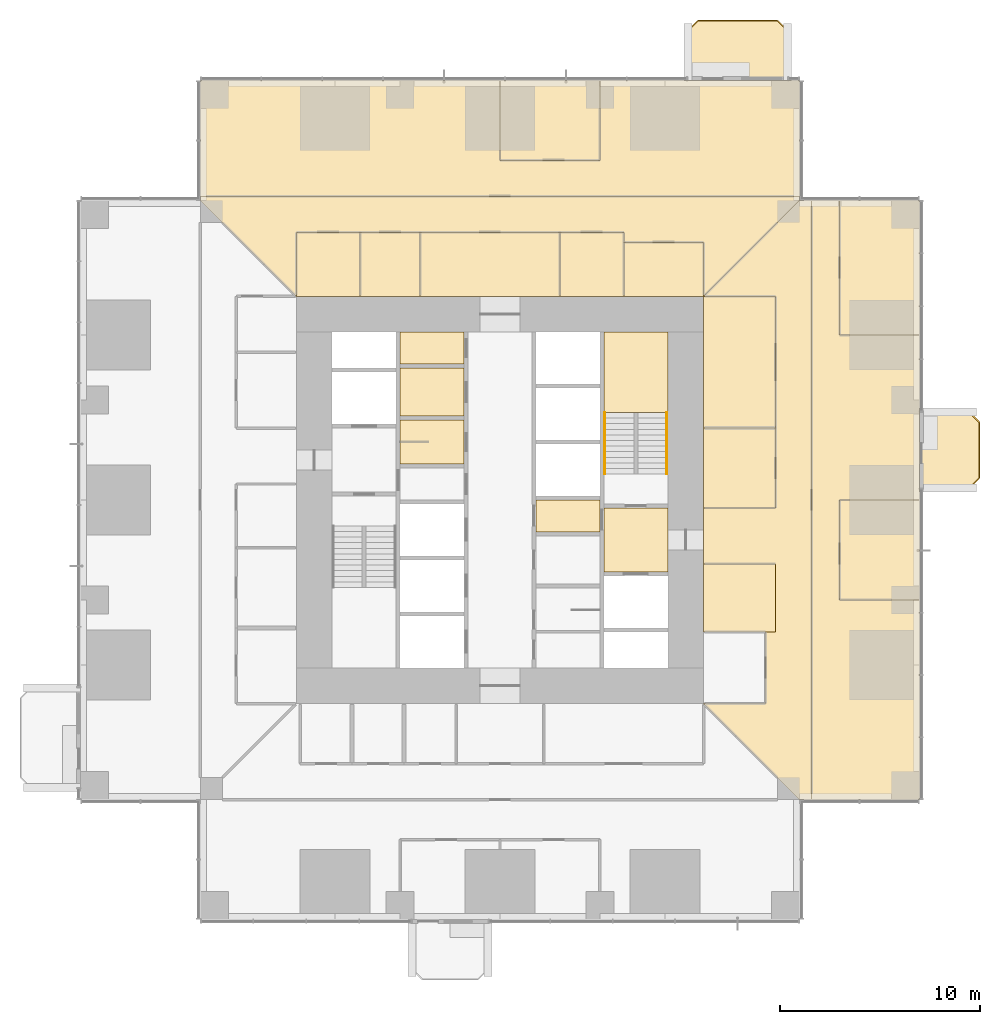
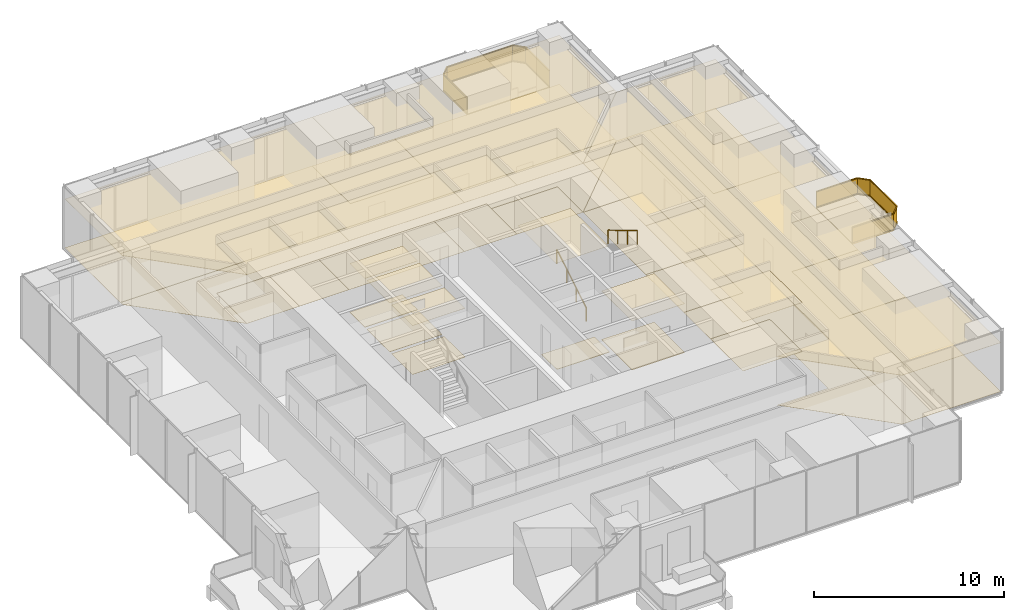
# One storey, part 16 of 17: 42 coverings, 4 railings.
"""IFC4 building model written with IfcOpenShell, lengths in metres."""

from ifc_helpers import new_model, si_unit, direction, frame, origin, origin_2d, place, context, subcontext, project, spatial, polyline, rectangle, circle, outline, extrude, material, layer, layer_set, type_object, element, save


model = new_model("IFC4")

# Units and contexts
model_context = context("Model", 3, precision=1e-05, world=origin(), true_north=direction((0.0, 1.0)))
body_context = subcontext(model_context, "Body", "Model", "MODEL_VIEW")
ifc_project = project(units=[si_unit("LENGTHUNIT", "METRE"), si_unit("AREAUNIT", "SQUARE_METRE"), si_unit("VOLUMEUNIT", "CUBIC_METRE"), si_unit("PLANEANGLEUNIT", "RADIAN"), si_unit("MASSUNIT", "GRAM", prefix="KILO")], contexts=[model_context])

# Site, building, storey
site_placement = place(None, origin())
site = spatial("IfcSite", under=ifc_project, at=site_placement, CompositionType="ELEMENT")
building_placement = place(site_placement, origin())
building = spatial("IfcBuilding", under=site, at=building_placement, Name="Svetlomir Tower", CompositionType="ELEMENT")
storey_placement = place(building_placement, frame((0.0, 0.0, 62.5)))
storey = spatial("IfcBuildingStorey", under=building, at=storey_placement, Name="L14", CompositionType="ELEMENT", Elevation=62.5)

# Railings
ifc_material_1 = material(Name="Bronze anodised aluminium and laminated glass", Category="aluminium")
railing_type_1 = type_object("IfcRailingType", Name="BALCONY GUARD GR1 1100", PredefinedType="GUARDRAIL", material=ifc_material_1)
railing_1_placement = place(storey_placement, frame((42.0, 21.60009765625, 0.0)))
element("IfcRailing", 1, at=railing_1_placement, inside=storey, type_object=railing_type_1, Name="Balcony guard E L14", PredefinedType="GUARDRAIL", context=body_context, shape_type="SweptSolid", body=[
    extrude(rectangle(XDim=0.06005859375, YDim=0.10009765625, at=origin_2d()), frame((0.0, 0.0, 0.050048828125), z_axis=(1.0, 0.0, 0.0), x_axis=(0.0, 1.0, 0.0)), (0.0, 0.0, 1.0), 2.5),
    extrude(rectangle(XDim=0.021484375, YDim=0.960205078125, at=origin_2d()), frame((0.0, 0.0, 0.580078125), z_axis=(1.0, 0.0, 0.0), x_axis=(0.0, 1.0, 0.0)), (0.0, 0.0, 1.0), 2.5),
    extrude(rectangle(XDim=0.06005859375, YDim=0.0400390625, at=origin_2d()), frame((0.0, 0.0, 1.080078125), z_axis=(1.0, 0.0, 0.0), x_axis=(0.0, 1.0, 0.0)), (0.0, 0.0, 1.0), 2.5),
    extrude(rectangle(XDim=0.06005859375, YDim=0.10009765625, at=origin_2d()), frame((2.5, 0.0, 0.050048828125), z_axis=(0.707106781187, 0.707106781187, 0.0), x_axis=(-0.707106781187, 0.707106781187, 0.0)), (0.0, 0.0, 1.0), 0.70703125),
    extrude(rectangle(XDim=0.021484375, YDim=0.960205078125, at=origin_2d()), frame((2.5, 0.0, 0.580078125), z_axis=(0.707106781187, 0.707106781187, 0.0), x_axis=(-0.707106781187, 0.707106781187, 0.0)), (0.0, 0.0, 1.0), 0.70703125),
    extrude(rectangle(XDim=0.06005859375, YDim=0.0400390625, at=origin_2d()), frame((2.5, 0.0, 1.080078125), z_axis=(0.707106781187, 0.707106781187, 0.0), x_axis=(-0.707106781187, 0.707106781187, 0.0)), (0.0, 0.0, 1.0), 0.70703125),
    extrude(rectangle(XDim=0.06005859375, YDim=0.10009765625, at=origin_2d()), frame((3.0, 0.5, 0.050048828125), z_axis=(0.0, 1.0, 0.0), x_axis=(-1.0, 0.0, 0.0)), (0.0, 0.0, 1.0), 2.7998046875),
    extrude(rectangle(XDim=0.021484375, YDim=0.960205078125, at=origin_2d()), frame((3.0, 0.5, 0.580078125), z_axis=(0.0, 1.0, 0.0), x_axis=(-1.0, 0.0, 0.0)), (0.0, 0.0, 1.0), 2.7998046875),
    extrude(rectangle(XDim=0.06005859375, YDim=0.0400390625, at=origin_2d()), frame((3.0, 0.5, 1.080078125), z_axis=(0.0, 1.0, 0.0), x_axis=(-1.0, 0.0, 0.0)), (0.0, 0.0, 1.0), 2.7998046875),
    extrude(rectangle(XDim=0.06005859375, YDim=0.10009765625, at=origin_2d()), frame((3.0, 3.2998046875, 0.050048828125), z_axis=(-0.707106781187, 0.707106781187, 0.0), x_axis=(-0.707106781187, -0.707106781187, 0.0)), (0.0, 0.0, 1.0), 0.70703125),
    extrude(rectangle(XDim=0.021484375, YDim=0.960205078125, at=origin_2d()), frame((3.0, 3.2998046875, 0.580078125), z_axis=(-0.707106781187, 0.707106781187, 0.0), x_axis=(-0.707106781187, -0.707106781187, 0.0)), (0.0, 0.0, 1.0), 0.70703125),
    extrude(rectangle(XDim=0.06005859375, YDim=0.0400390625, at=origin_2d()), frame((3.0, 3.2998046875, 1.080078125), z_axis=(-0.707106781187, 0.707106781187, 0.0), x_axis=(-0.707106781187, -0.707106781187, 0.0)), (0.0, 0.0, 1.0), 0.70703125),
    extrude(rectangle(XDim=0.06005859375, YDim=0.10009765625, at=origin_2d()), frame((2.5, 3.7998046875, 0.050048828125), z_axis=(-1.0, 0.0, 0.0), x_axis=(0.0, -1.0, 0.0)), (0.0, 0.0, 1.0), 2.5),
    extrude(rectangle(XDim=0.021484375, YDim=0.960205078125, at=origin_2d()), frame((2.5, 3.7998046875, 0.580078125), z_axis=(-1.0, 0.0, 0.0), x_axis=(0.0, -1.0, 0.0)), (0.0, 0.0, 1.0), 2.5),
    extrude(rectangle(XDim=0.06005859375, YDim=0.0400390625, at=origin_2d()), frame((2.5, 3.7998046875, 1.080078125), z_axis=(-1.0, 0.0, 0.0), x_axis=(0.0, -1.0, 0.0)), (0.0, 0.0, 1.0), 2.5),
])
railing_2_placement = place(storey_placement, frame((35.39990234375, 42.0, 0.0)))
element("IfcRailing", 2, at=railing_2_placement, inside=storey, type_object=railing_type_1, Name="Balcony guard N L14", PredefinedType="GUARDRAIL", context=body_context, shape_type="SweptSolid", body=[
    extrude(rectangle(XDim=0.06005859375, YDim=0.10009765625, at=origin_2d()), frame((0.0, 0.0, 0.050048828125), z_axis=(0.0, 1.0, 0.0), x_axis=(-1.0, 0.0, 0.0)), (0.0, 0.0, 1.0), 2.5),
    extrude(rectangle(XDim=0.021484375, YDim=0.960205078125, at=origin_2d()), frame((0.0, 0.0, 0.580078125), z_axis=(0.0, 1.0, 0.0), x_axis=(-1.0, 0.0, 0.0)), (0.0, 0.0, 1.0), 2.5),
    extrude(rectangle(XDim=0.06005859375, YDim=0.0400390625, at=origin_2d()), frame((0.0, 0.0, 1.080078125), z_axis=(0.0, 1.0, 0.0), x_axis=(-1.0, 0.0, 0.0)), (0.0, 0.0, 1.0), 2.5),
    extrude(rectangle(XDim=0.06005859375, YDim=0.10009765625, at=origin_2d()), frame((0.0, 2.5, 0.050048828125), z_axis=(-0.707106781187, 0.707106781187, 0.0), x_axis=(-0.707106781187, -0.707106781187, 0.0)), (0.0, 0.0, 1.0), 0.70703125),
    extrude(rectangle(XDim=0.021484375, YDim=0.960205078125, at=origin_2d()), frame((0.0, 2.5, 0.580078125), z_axis=(-0.707106781187, 0.707106781187, 0.0), x_axis=(-0.707106781187, -0.707106781187, 0.0)), (0.0, 0.0, 1.0), 0.70703125),
    extrude(rectangle(XDim=0.06005859375, YDim=0.0400390625, at=origin_2d()), frame((0.0, 2.5, 1.080078125), z_axis=(-0.707106781187, 0.707106781187, 0.0), x_axis=(-0.707106781187, -0.707106781187, 0.0)), (0.0, 0.0, 1.0), 0.70703125),
    extrude(rectangle(XDim=0.06005859375, YDim=0.10009765625, at=origin_2d()), frame((-0.5, 3.0, 0.050048828125), z_axis=(-1.0, 0.0, 0.0), x_axis=(0.0, -1.0, 0.0)), (0.0, 0.0, 1.0), 4.0),
    extrude(rectangle(XDim=0.021484375, YDim=0.960205078125, at=origin_2d()), frame((-0.5, 3.0, 0.580078125), z_axis=(-1.0, 0.0, 0.0), x_axis=(0.0, -1.0, 0.0)), (0.0, 0.0, 1.0), 4.0),
    extrude(rectangle(XDim=0.06005859375, YDim=0.0400390625, at=origin_2d()), frame((-0.5, 3.0, 1.080078125), z_axis=(-1.0, 0.0, 0.0), x_axis=(0.0, -1.0, 0.0)), (0.0, 0.0, 1.0), 4.0),
    extrude(rectangle(XDim=0.06005859375, YDim=0.10009765625, at=origin_2d()), frame((-4.5, 3.0, 0.050048828125), z_axis=(-0.707106781187, -0.707106781187, 0.0), x_axis=(0.707106781187, -0.707106781187, 0.0)), (0.0, 0.0, 1.0), 0.70703125),
    extrude(rectangle(XDim=0.021484375, YDim=0.960205078125, at=origin_2d()), frame((-4.5, 3.0, 0.580078125), z_axis=(-0.707106781187, -0.707106781187, 0.0), x_axis=(0.707106781187, -0.707106781187, 0.0)), (0.0, 0.0, 1.0), 0.70703125),
    extrude(rectangle(XDim=0.06005859375, YDim=0.0400390625, at=origin_2d()), frame((-4.5, 3.0, 1.080078125), z_axis=(-0.707106781187, -0.707106781187, 0.0), x_axis=(0.707106781187, -0.707106781187, 0.0)), (0.0, 0.0, 1.0), 0.70703125),
    extrude(rectangle(XDim=0.06005859375, YDim=0.10009765625, at=origin_2d()), frame((-5.0, 2.5, 0.050048828125), z_axis=(0.0, -1.0, 0.0), x_axis=(1.0, 0.0, 0.0)), (0.0, 0.0, 1.0), 2.5),
    extrude(rectangle(XDim=0.021484375, YDim=0.960205078125, at=origin_2d()), frame((-5.0, 2.5, 0.580078125), z_axis=(0.0, -1.0, 0.0), x_axis=(1.0, 0.0, 0.0)), (0.0, 0.0, 1.0), 2.5),
    extrude(rectangle(XDim=0.06005859375, YDim=0.0400390625, at=origin_2d()), frame((-5.0, 2.5, 1.080078125), z_axis=(0.0, -1.0, 0.0), x_axis=(1.0, 0.0, 0.0)), (0.0, 0.0, 1.0), 2.5),
])

# Coverings
ifc_material_2 = material(Name="Granite paving slabs on pedestals", Category="masonry")
ifc_layer_1 = layer(ifc_material_2, 0.0400390625)
ifc_layer_set_1 = layer_set([ifc_layer_1], Name="Granite paving slabs on pedestals")
covering_type_1 = type_object("IfcCoveringType", Name="BALCONY PAVING 40", PredefinedType="USERDEFINED", material=ifc_layer_set_1)
covering_1_placement = place(storey_placement, origin())
element("IfcCovering", 3, at=covering_1_placement, inside=storey, type_object=covering_type_1, Name="Balcony paving E L14", ObjectType="BALCONY PAVING", PredefinedType="USERDEFINED", context=body_context, shape_type="SweptSolid", body=[
    extrude(outline(polyline([(42.0, 21.60009765625), (44.5, 21.60009765625), (45.0, 22.10009765625), (45.0, 24.89990234375), (44.5, 25.39990234375), (42.0, 25.39990234375), (42.0, 21.60009765625)])), origin(), (0.0, 0.0, 1.0), 0.0400390625),
])
covering_2_placement = place(storey_placement, origin())
element("IfcCovering", 4, at=covering_2_placement, inside=storey, type_object=covering_type_1, Name="Balcony paving N L14", ObjectType="BALCONY PAVING", PredefinedType="USERDEFINED", context=body_context, shape_type="SweptSolid", body=[
    extrude(outline(polyline([(30.39990234375, 42.0), (35.39990234375, 42.0), (35.39990234375, 44.5), (34.89990234375, 45.0), (30.89990234375, 45.0), (30.39990234375, 44.5), (30.39990234375, 42.0)])), origin(), (0.0, 0.0, 1.0), 0.0400390625),
])
ifc_material_3 = material(Name="Carpet tile", Category="textile")
ifc_layer_2 = layer(ifc_material_3, 0.010009765625)
ifc_layer_set_2 = layer_set([ifc_layer_2], Name="Carpet tile")
covering_type_2 = type_object("IfcCoveringType", Name="CARPET TILE FLOOR 10", PredefinedType="FLOORING", material=ifc_layer_set_2)
covering_3_placement = place(storey_placement, origin())
element("IfcCovering", 5, at=covering_3_placement, inside=storey, type_object=covering_type_2, Name="Floor finish L14-21", PredefinedType="FLOORING", context=body_context, shape_type="SweptSolid", body=[
    extrude(outline(polyline([(31.199951171875, 20.60009765625), (34.800048828125, 20.60009765625), (34.800048828125, 24.60009765625), (31.199951171875, 24.60009765625), (31.199951171875, 20.60009765625)])), origin(), (0.0, 0.0, 1.0), 0.010009765625),
])
covering_4_placement = place(storey_placement, origin())
element("IfcCovering", 6, at=covering_4_placement, inside=storey, type_object=covering_type_2, Name="Floor finish L14-22", PredefinedType="FLOORING", context=body_context, shape_type="SweptSolid", body=[
    extrude(outline(polyline([(31.199951171875, 24.60009765625), (34.800048828125, 24.60009765625), (34.800048828125, 31.199951171875), (31.199951171875, 31.199951171875), (31.199951171875, 24.60009765625)])), origin(), (0.0, 0.0, 1.0), 0.010009765625),
])
covering_5_placement = place(storey_placement, origin())
element("IfcCovering", 7, at=covering_5_placement, inside=storey, type_object=covering_type_2, Name="Floor finish L14-23", PredefinedType="FLOORING", context=body_context, shape_type="SweptSolid", body=[
    extrude(outline(polyline([(38.0, 16.0), (42.0, 16.0), (42.0, 21.0), (38.0, 21.0), (38.0, 16.0)])), origin(), (0.0, 0.0, 1.0), 0.010009765625),
])
covering_6_placement = place(storey_placement, origin())
element("IfcCovering", 8, at=covering_6_placement, inside=storey, type_object=covering_type_2, Name="Floor finish L14-24", PredefinedType="FLOORING", context=body_context, shape_type="SweptSolid", body=[
    extrude(outline(polyline([(38.0, 29.25), (42.0, 29.25), (42.0, 36.0), (38.0, 36.0), (38.0, 29.25)])), origin(), (0.0, 0.0, 1.0), 0.010009765625),
])
covering_7_placement = place(storey_placement, origin())
element("IfcCovering", 9, at=covering_7_placement, inside=storey, type_object=covering_type_2, Name="Floor finish L14-25", PredefinedType="FLOORING", context=body_context, shape_type="SweptSolid", body=[
    extrude(outline(polyline([(10.800048828125, 31.199951171875), (14.0, 31.199951171875), (14.0, 34.39990234375), (10.800048828125, 34.39990234375), (10.800048828125, 31.199951171875)])), origin(), (0.0, 0.0, 1.0), 0.010009765625),
])
covering_8_placement = place(storey_placement, origin())
element("IfcCovering", 10, at=covering_8_placement, inside=storey, type_object=covering_type_2, Name="Floor finish L14-26", PredefinedType="FLOORING", context=body_context, shape_type="SweptSolid", body=[
    extrude(outline(polyline([(14.0, 31.199951171875), (17.0, 31.199951171875), (17.0, 34.39990234375), (14.0, 34.39990234375), (14.0, 31.199951171875)])), origin(), (0.0, 0.0, 1.0), 0.010009765625),
])
covering_9_placement = place(storey_placement, origin())
element("IfcCovering", 11, at=covering_9_placement, inside=storey, type_object=covering_type_2, Name="Floor finish L14-27", PredefinedType="FLOORING", context=body_context, shape_type="SweptSolid", body=[
    extrude(outline(polyline([(24.0, 31.199951171875), (27.199951171875, 31.199951171875), (27.199951171875, 34.39990234375), (24.0, 34.39990234375), (24.0, 31.199951171875)])), origin(), (0.0, 0.0, 1.0), 0.010009765625),
])
covering_10_placement = place(storey_placement, origin())
element("IfcCovering", 12, at=covering_10_placement, inside=storey, type_object=covering_type_2, Name="Floor finish L14-28", PredefinedType="FLOORING", context=body_context, shape_type="SweptSolid", body=[
    extrude(outline(polyline([(27.199951171875, 31.199951171875), (31.199951171875, 31.199951171875), (31.199951171875, 33.89990234375), (27.199951171875, 33.89990234375), (27.199951171875, 31.199951171875)])), origin(), (0.0, 0.0, 1.0), 0.010009765625),
])
covering_11_placement = place(storey_placement, origin())
element("IfcCovering", 13, at=covering_11_placement, inside=storey, type_object=covering_type_2, Name="Floor finish L14-29", PredefinedType="FLOORING", context=body_context, shape_type="SweptSolid", body=[
    extrude(outline(polyline([(21.0, 38.0), (26.0, 38.0), (26.0, 42.0), (21.0, 42.0), (21.0, 38.0)])), origin(), (0.0, 0.0, 1.0), 0.010009765625),
])
covering_12_placement = place(storey_placement, origin())
element("IfcCovering", 14, at=covering_12_placement, inside=storey, type_object=covering_type_2, Name="Floor finish L14-34", PredefinedType="FLOORING", context=body_context, shape_type="SweptSolid", body=[
    extrude(outline(polyline([(31.199951171875, 20.60009765625), (34.800048828125, 20.60009765625), (34.800048828125, 31.199951171875), (31.199951171875, 31.199951171875), (36.0, 36.0), (36.60009765625, 36.0), (36.60009765625, 6.0), (36.0, 6.0), (31.199951171875, 10.800048828125), (34.300048828125, 10.800048828125), (34.300048828125, 14.39990234375), (34.800048828125, 14.39990234375), (34.800048828125, 17.800048828125), (31.199951171875, 17.800048828125), (31.199951171875, 20.60009765625)])), origin(), (0.0, 0.0, 1.0), 0.010009765625),
])
covering_13_placement = place(storey_placement, origin())
element("IfcCovering", 15, at=covering_13_placement, inside=storey, type_object=covering_type_2, Name="Floor finish L14-35", PredefinedType="FLOORING", context=body_context, shape_type="SweptSolid", body=[
    extrude(outline(polyline([(6.0, 36.199951171875), (36.0, 36.199951171875), (36.0, 36.0), (31.199951171875, 31.199951171875), (31.199951171875, 33.89990234375), (27.199951171875, 33.89990234375), (27.199951171875, 34.39990234375), (10.800048828125, 34.39990234375), (10.800048828125, 31.199951171875), (6.0, 36.0), (6.0, 36.199951171875)])), origin(), (0.0, 0.0, 1.0), 0.010009765625),
])
covering_14_placement = place(storey_placement, origin())
element("IfcCovering", 16, at=covering_14_placement, inside=storey, type_object=covering_type_2, Name="Floor finish L14-39", PredefinedType="FLOORING", context=body_context, shape_type="SweptSolid", body=[
    extrude(outline(polyline([(38.0, 29.25), (42.0, 29.25), (42.0, 21.0), (38.0, 21.0), (38.0, 16.0), (42.0, 16.0), (42.0, 6.0), (36.60009765625, 6.0), (36.60009765625, 36.0), (38.0, 36.0), (38.0, 29.25)])), origin(), (0.0, 0.0, 1.0), 0.010009765625),
])
covering_15_placement = place(storey_placement, origin())
element("IfcCovering", 17, at=covering_15_placement, inside=storey, type_object=covering_type_2, Name="Floor finish L14-40", PredefinedType="FLOORING", context=body_context, shape_type="SweptSolid", body=[
    extrude(outline(polyline([(31.199951171875, 14.39990234375), (31.199951171875, 17.800048828125), (34.800048828125, 17.800048828125), (34.800048828125, 14.39990234375), (31.199951171875, 14.39990234375)])), origin(), (0.0, 0.0, 1.0), 0.010009765625),
])
covering_16_placement = place(storey_placement, origin())
element("IfcCovering", 18, at=covering_16_placement, inside=storey, type_object=covering_type_2, Name="Floor finish L14-41", PredefinedType="FLOORING", context=body_context, shape_type="SweptSolid", body=[
    extrude(outline(polyline([(21.0, 42.0), (21.0, 38.0), (26.0, 38.0), (26.0, 42.0), (36.0, 42.0), (36.0, 36.199951171875), (6.0, 36.199951171875), (6.0, 42.0), (21.0, 42.0)])), origin(), (0.0, 0.0, 1.0), 0.010009765625),
])
covering_17_placement = place(storey_placement, origin())
element("IfcCovering", 19, at=covering_17_placement, inside=storey, type_object=covering_type_2, Name="Floor finish L14-42", PredefinedType="FLOORING", context=body_context, shape_type="SweptSolid", body=[
    extrude(outline(polyline([(17.0, 31.199951171875), (17.0, 34.39990234375), (24.0, 34.39990234375), (24.0, 31.199951171875), (17.0, 31.199951171875)])), origin(), (0.0, 0.0, 1.0), 0.010009765625),
])
ifc_material_4 = material(Name="Ceramic floor tile", Category="ceramic")
ifc_layer_3 = layer(ifc_material_4, 0.014892578125)
ifc_layer_set_3 = layer_set([ifc_layer_3], Name="Ceramic floor tile")
covering_type_3 = type_object("IfcCoveringType", Name="CERAMIC TILE FLOOR 15", PredefinedType="FLOORING", material=ifc_layer_set_3)
covering_18_placement = place(storey_placement, origin())
element("IfcCovering", 20, at=covering_18_placement, inside=storey, type_object=covering_type_3, Name="Floor finish L14-04", PredefinedType="FLOORING", context=body_context, shape_type="SweptSolid", body=[
    extrude(outline(polyline([(16.0, 22.800048828125), (19.199951171875, 22.800048828125), (19.199951171875, 25.0), (16.0, 25.0), (16.0, 22.800048828125)])), origin(), (0.0, 0.0, 1.0), 0.014892578125),
])
covering_19_placement = place(storey_placement, origin())
element("IfcCovering", 21, at=covering_19_placement, inside=storey, type_object=covering_type_3, Name="Floor finish L14-05", PredefinedType="FLOORING", context=body_context, shape_type="SweptSolid", body=[
    extrude(outline(polyline([(16.0, 25.199951171875), (19.199951171875, 25.199951171875), (19.199951171875, 27.60009765625), (16.0, 27.60009765625), (16.0, 25.199951171875)])), origin(), (0.0, 0.0, 1.0), 0.014892578125),
])

# Railings
ifc_material_5 = material(Name="Stainless steel", Category="steel")
railing_type_2 = type_object("IfcRailingType", Name="HANDRAIL HR1 900", PredefinedType="HANDRAIL", material=ifc_material_5)
railing_3_placement = place(storey_placement, frame((26.25, 22.300048828125, 0.166748046875)))
element("IfcRailing", 22, at=railing_3_placement, inside=storey, type_object=railing_type_2, Name="Handrail S2 flight 1 L14", PredefinedType="HANDRAIL", context=body_context, shape_type="SweptSolid", body=[
    extrude(circle(Radius=0.02392578125, at=origin_2d()), frame((0.0, 0.0, 0.8759765625), z_axis=(0.0, 0.859290745958, 0.51148745235), x_axis=(-1.0, 0.0, 0.0)), (0.0, 0.0, 1.0), 3.584228515625),
    extrude(circle(Radius=0.02099609375, at=origin_2d()), origin(), (0.0, 0.0, 1.0), 0.851806640625),
    extrude(circle(Radius=0.02099609375, at=origin_2d()), frame((0.0, 1.026611328125, 0.611083984375)), (0.0, 0.0, 1.0), 0.851806640625),
    extrude(circle(Radius=0.02099609375, at=origin_2d()), frame((0.0, 2.05322265625, 1.22216796875)), (0.0, 0.0, 1.0), 0.851806640625),
    extrude(circle(Radius=0.02099609375, at=origin_2d()), frame((0.0, 3.079833984375, 1.833251953125)), (0.0, 0.0, 1.0), 0.851806640625),
])
railing_4_placement = place(storey_placement, frame((29.35009765625, 25.3798828125, 2.166748046875)))
element("IfcRailing", 23, at=railing_4_placement, inside=storey, type_object=railing_type_2, Name="Handrail S2 flight 2 L14", PredefinedType="HANDRAIL", context=body_context, shape_type="SweptSolid", body=[
    extrude(circle(Radius=0.02392578125, at=origin_2d()), frame((0.0, 0.0, 0.8759765625), z_axis=(0.0, -0.859290745958, 0.51148745235), x_axis=(1.0, 0.0, 0.0)), (0.0, 0.0, 1.0), 3.584228515625),
    extrude(circle(Radius=0.02099609375, at=origin_2d()), origin(), (0.0, 0.0, 1.0), 0.851806640625),
    extrude(circle(Radius=0.02099609375, at=origin_2d()), frame((0.0, -1.026611328125, 0.611083984375)), (0.0, 0.0, 1.0), 0.851806640625),
    extrude(circle(Radius=0.02099609375, at=origin_2d()), frame((0.0, -2.05322265625, 1.22216796875)), (0.0, 0.0, 1.0), 0.851806640625),
    extrude(circle(Radius=0.02099609375, at=origin_2d()), frame((0.0, -3.079833984375, 1.833251953125)), (0.0, 0.0, 1.0), 0.851806640625),
])

# Coverings
ifc_material_6 = material(Name="Moisture resistant plasterboard ceiling", Category="gypsum")
ifc_layer_4 = layer(ifc_material_6, 0.012451171875)
ifc_layer_set_4 = layer_set([ifc_layer_4], Name="Moisture resistant plasterboard ceiling")
covering_type_4 = type_object("IfcCoveringType", Name="MOISTURE RESISTANT CEILING 12.5", PredefinedType="CEILING", material=ifc_layer_set_4)
covering_20_placement = place(storey_placement, frame((0.0, 0.0, 3.137451171875)))
element("IfcCovering", 24, at=covering_20_placement, inside=storey, type_object=covering_type_4, Name="Ceiling L14-04", PredefinedType="CEILING", context=body_context, shape_type="SweptSolid", body=[
    extrude(outline(polyline([(16.0, 22.800048828125), (19.199951171875, 22.800048828125), (19.199951171875, 25.0), (16.0, 25.0), (16.0, 22.800048828125)])), origin(), (0.0, 0.0, 1.0), 0.012451171875),
])
covering_21_placement = place(storey_placement, frame((0.0, 0.0, 3.137451171875)))
element("IfcCovering", 25, at=covering_21_placement, inside=storey, type_object=covering_type_4, Name="Ceiling L14-05", PredefinedType="CEILING", context=body_context, shape_type="SweptSolid", body=[
    extrude(outline(polyline([(16.0, 25.199951171875), (19.199951171875, 25.199951171875), (19.199951171875, 27.60009765625), (16.0, 27.60009765625), (16.0, 25.199951171875)])), origin(), (0.0, 0.0, 1.0), 0.012451171875),
])
ifc_material_7 = material(Name="Gypsum plasterboard ceiling", Category="gypsum")
ifc_layer_5 = layer(ifc_material_7, 0.014892578125)
ifc_layer_set_5 = layer_set([ifc_layer_5], Name="Gypsum plasterboard ceiling")
covering_type_5 = type_object("IfcCoveringType", Name="PLASTERBOARD CEILING 15", PredefinedType="CEILING", material=ifc_layer_set_5)
covering_22_placement = place(storey_placement, frame((0.0, 0.0, 3.135009765625)))
element("IfcCovering", 26, at=covering_22_placement, inside=storey, type_object=covering_type_5, Name="Ceiling L14-06", PredefinedType="CEILING", context=body_context, shape_type="SweptSolid", body=[
    extrude(outline(polyline([(16.0, 27.800048828125), (19.199951171875, 27.800048828125), (19.199951171875, 29.39990234375), (16.0, 29.39990234375), (16.0, 27.800048828125)])), origin(), (0.0, 0.0, 1.0), 0.014892578125),
])
covering_23_placement = place(storey_placement, frame((0.0, 0.0, 3.135009765625)))
element("IfcCovering", 27, at=covering_23_placement, inside=storey, type_object=covering_type_5, Name="Ceiling L14-12", PredefinedType="CEILING", context=body_context, shape_type="SweptSolid", body=[
    extrude(outline(polyline([(26.199951171875, 17.39990234375), (29.39990234375, 17.39990234375), (29.39990234375, 20.60009765625), (26.199951171875, 20.60009765625), (26.199951171875, 17.39990234375)])), origin(), (0.0, 0.0, 1.0), 0.014892578125),
])
ifc_material_8 = material(Name="Studded rubber floor finish", Category="rubber")
ifc_layer_6 = layer(ifc_material_8, 0.006103515625)
ifc_layer_set_6 = layer_set([ifc_layer_6], Name="Studded rubber floor finish")
covering_type_6 = type_object("IfcCoveringType", Name="RUBBER LANDING FINISH 6", PredefinedType="FLOORING", material=ifc_layer_set_6)
covering_24_placement = place(storey_placement, frame((0.0, 0.0, 2.0)))
element("IfcCovering", 28, at=covering_24_placement, inside=storey, type_object=covering_type_6, Name="Stair S2 landing finish L14", PredefinedType="FLOORING", context=body_context, shape_type="SweptSolid", body=[
    extrude(outline(polyline([(26.199951171875, 25.3798828125), (29.39990234375, 25.3798828125), (29.39990234375, 29.39990234375), (26.199951171875, 29.39990234375), (26.199951171875, 25.3798828125)])), origin(), (0.0, 0.0, 1.0), 0.006103515625),
])
ifc_material_9 = material(Name="Mineral fibre ceiling tile", Category="mineral")
ifc_layer_7 = layer(ifc_material_9, 0.02001953125)
ifc_layer_set_7 = layer_set([ifc_layer_7], Name="Mineral fibre ceiling tile")
covering_type_7 = type_object("IfcCoveringType", Name="SUSPENDED CEILING 20", PredefinedType="CEILING", material=ifc_layer_set_7)
covering_25_placement = place(storey_placement, frame((0.0, 0.0, 3.1298828125)))
element("IfcCovering", 29, at=covering_25_placement, inside=storey, type_object=covering_type_7, Name="Ceiling L14-21", PredefinedType="CEILING", context=body_context, shape_type="SweptSolid", body=[
    extrude(outline(polyline([(31.199951171875, 20.60009765625), (34.800048828125, 20.60009765625), (34.800048828125, 24.60009765625), (31.199951171875, 24.60009765625), (31.199951171875, 20.60009765625)])), origin(), (0.0, 0.0, 1.0), 0.02001953125),
])
covering_26_placement = place(storey_placement, frame((0.0, 0.0, 3.1298828125)))
element("IfcCovering", 30, at=covering_26_placement, inside=storey, type_object=covering_type_7, Name="Ceiling L14-22", PredefinedType="CEILING", context=body_context, shape_type="SweptSolid", body=[
    extrude(outline(polyline([(31.199951171875, 24.60009765625), (34.800048828125, 24.60009765625), (34.800048828125, 31.199951171875), (31.199951171875, 31.199951171875), (31.199951171875, 24.60009765625)])), origin(), (0.0, 0.0, 1.0), 0.02001953125),
])
covering_27_placement = place(storey_placement, frame((0.0, 0.0, 3.1298828125)))
element("IfcCovering", 31, at=covering_27_placement, inside=storey, type_object=covering_type_7, Name="Ceiling L14-23", PredefinedType="CEILING", context=body_context, shape_type="SweptSolid", body=[
    extrude(outline(polyline([(38.0, 16.0), (42.0, 16.0), (42.0, 21.0), (38.0, 21.0), (38.0, 16.0)])), origin(), (0.0, 0.0, 1.0), 0.02001953125),
])
covering_28_placement = place(storey_placement, frame((0.0, 0.0, 3.1298828125)))
element("IfcCovering", 32, at=covering_28_placement, inside=storey, type_object=covering_type_7, Name="Ceiling L14-24", PredefinedType="CEILING", context=body_context, shape_type="SweptSolid", body=[
    extrude(outline(polyline([(38.0, 29.25), (42.0, 29.25), (42.0, 36.0), (38.0, 36.0), (38.0, 29.25)])), origin(), (0.0, 0.0, 1.0), 0.02001953125),
])
covering_29_placement = place(storey_placement, frame((0.0, 0.0, 3.1298828125)))
element("IfcCovering", 33, at=covering_29_placement, inside=storey, type_object=covering_type_7, Name="Ceiling L14-25", PredefinedType="CEILING", context=body_context, shape_type="SweptSolid", body=[
    extrude(outline(polyline([(10.800048828125, 31.199951171875), (14.0, 31.199951171875), (14.0, 34.39990234375), (10.800048828125, 34.39990234375), (10.800048828125, 31.199951171875)])), origin(), (0.0, 0.0, 1.0), 0.02001953125),
])
covering_30_placement = place(storey_placement, frame((0.0, 0.0, 3.1298828125)))
element("IfcCovering", 34, at=covering_30_placement, inside=storey, type_object=covering_type_7, Name="Ceiling L14-26", PredefinedType="CEILING", context=body_context, shape_type="SweptSolid", body=[
    extrude(outline(polyline([(14.0, 31.199951171875), (17.0, 31.199951171875), (17.0, 34.39990234375), (14.0, 34.39990234375), (14.0, 31.199951171875)])), origin(), (0.0, 0.0, 1.0), 0.02001953125),
])
covering_31_placement = place(storey_placement, frame((0.0, 0.0, 3.1298828125)))
element("IfcCovering", 35, at=covering_31_placement, inside=storey, type_object=covering_type_7, Name="Ceiling L14-27", PredefinedType="CEILING", context=body_context, shape_type="SweptSolid", body=[
    extrude(outline(polyline([(24.0, 31.199951171875), (27.199951171875, 31.199951171875), (27.199951171875, 34.39990234375), (24.0, 34.39990234375), (24.0, 31.199951171875)])), origin(), (0.0, 0.0, 1.0), 0.02001953125),
])
covering_32_placement = place(storey_placement, frame((0.0, 0.0, 3.1298828125)))
element("IfcCovering", 36, at=covering_32_placement, inside=storey, type_object=covering_type_7, Name="Ceiling L14-28", PredefinedType="CEILING", context=body_context, shape_type="SweptSolid", body=[
    extrude(outline(polyline([(27.199951171875, 31.199951171875), (31.199951171875, 31.199951171875), (31.199951171875, 33.89990234375), (27.199951171875, 33.89990234375), (27.199951171875, 31.199951171875)])), origin(), (0.0, 0.0, 1.0), 0.02001953125),
])
covering_33_placement = place(storey_placement, frame((0.0, 0.0, 3.1298828125)))
element("IfcCovering", 37, at=covering_33_placement, inside=storey, type_object=covering_type_7, Name="Ceiling L14-29", PredefinedType="CEILING", context=body_context, shape_type="SweptSolid", body=[
    extrude(outline(polyline([(21.0, 38.0), (26.0, 38.0), (26.0, 42.0), (21.0, 42.0), (21.0, 38.0)])), origin(), (0.0, 0.0, 1.0), 0.02001953125),
])
covering_34_placement = place(storey_placement, frame((0.0, 0.0, 3.1298828125)))
element("IfcCovering", 38, at=covering_34_placement, inside=storey, type_object=covering_type_7, Name="Ceiling L14-34", PredefinedType="CEILING", context=body_context, shape_type="SweptSolid", body=[
    extrude(outline(polyline([(31.199951171875, 20.60009765625), (34.800048828125, 20.60009765625), (34.800048828125, 31.199951171875), (31.199951171875, 31.199951171875), (36.0, 36.0), (36.60009765625, 36.0), (36.60009765625, 6.0), (36.0, 6.0), (31.199951171875, 10.800048828125), (34.300048828125, 10.800048828125), (34.300048828125, 14.39990234375), (34.800048828125, 14.39990234375), (34.800048828125, 17.800048828125), (31.199951171875, 17.800048828125), (31.199951171875, 20.60009765625)])), origin(), (0.0, 0.0, 1.0), 0.02001953125),
])
covering_35_placement = place(storey_placement, frame((0.0, 0.0, 3.1298828125)))
element("IfcCovering", 39, at=covering_35_placement, inside=storey, type_object=covering_type_7, Name="Ceiling L14-35", PredefinedType="CEILING", context=body_context, shape_type="SweptSolid", body=[
    extrude(outline(polyline([(6.0, 36.199951171875), (36.0, 36.199951171875), (36.0, 36.0), (31.199951171875, 31.199951171875), (31.199951171875, 33.89990234375), (27.199951171875, 33.89990234375), (27.199951171875, 34.39990234375), (10.800048828125, 34.39990234375), (10.800048828125, 31.199951171875), (6.0, 36.0), (6.0, 36.199951171875)])), origin(), (0.0, 0.0, 1.0), 0.02001953125),
])
covering_36_placement = place(storey_placement, frame((0.0, 0.0, 3.1298828125)))
element("IfcCovering", 40, at=covering_36_placement, inside=storey, type_object=covering_type_7, Name="Ceiling L14-39", PredefinedType="CEILING", context=body_context, shape_type="SweptSolid", body=[
    extrude(outline(polyline([(38.0, 29.25), (42.0, 29.25), (42.0, 21.0), (38.0, 21.0), (38.0, 16.0), (42.0, 16.0), (42.0, 6.0), (36.60009765625, 6.0), (36.60009765625, 36.0), (38.0, 36.0), (38.0, 29.25)])), origin(), (0.0, 0.0, 1.0), 0.02001953125),
])
covering_37_placement = place(storey_placement, frame((0.0, 0.0, 3.1298828125)))
element("IfcCovering", 41, at=covering_37_placement, inside=storey, type_object=covering_type_7, Name="Ceiling L14-40", PredefinedType="CEILING", context=body_context, shape_type="SweptSolid", body=[
    extrude(outline(polyline([(31.199951171875, 14.39990234375), (31.199951171875, 17.800048828125), (34.800048828125, 17.800048828125), (34.800048828125, 14.39990234375), (31.199951171875, 14.39990234375)])), origin(), (0.0, 0.0, 1.0), 0.02001953125),
])
covering_38_placement = place(storey_placement, frame((0.0, 0.0, 3.1298828125)))
element("IfcCovering", 42, at=covering_38_placement, inside=storey, type_object=covering_type_7, Name="Ceiling L14-41", PredefinedType="CEILING", context=body_context, shape_type="SweptSolid", body=[
    extrude(outline(polyline([(21.0, 42.0), (21.0, 38.0), (26.0, 38.0), (26.0, 42.0), (36.0, 42.0), (36.0, 36.199951171875), (6.0, 36.199951171875), (6.0, 42.0), (21.0, 42.0)])), origin(), (0.0, 0.0, 1.0), 0.02001953125),
])
covering_39_placement = place(storey_placement, frame((0.0, 0.0, 3.1298828125)))
element("IfcCovering", 43, at=covering_39_placement, inside=storey, type_object=covering_type_7, Name="Ceiling L14-42", PredefinedType="CEILING", context=body_context, shape_type="SweptSolid", body=[
    extrude(outline(polyline([(17.0, 31.199951171875), (17.0, 34.39990234375), (24.0, 34.39990234375), (24.0, 31.199951171875), (17.0, 31.199951171875)])), origin(), (0.0, 0.0, 1.0), 0.02001953125),
])
ifc_material_10 = material(Name="Bronze-aggregate terrazzo", Category="stone")
ifc_layer_8 = layer(ifc_material_10, 0.030029296875)
ifc_layer_set_8 = layer_set([ifc_layer_8], Name="Bronze-aggregate terrazzo")
covering_type_8 = type_object("IfcCoveringType", Name="TERRAZZO FLOOR 30", PredefinedType="FLOORING", material=ifc_layer_set_8)
covering_40_placement = place(storey_placement, origin())
element("IfcCovering", 44, at=covering_40_placement, inside=storey, type_object=covering_type_8, Name="Floor finish L14-06", PredefinedType="FLOORING", context=body_context, shape_type="SweptSolid", body=[
    extrude(outline(polyline([(16.0, 27.800048828125), (19.199951171875, 27.800048828125), (19.199951171875, 29.39990234375), (16.0, 29.39990234375), (16.0, 27.800048828125)])), origin(), (0.0, 0.0, 1.0), 0.030029296875),
])
covering_41_placement = place(storey_placement, origin())
element("IfcCovering", 45, at=covering_41_placement, inside=storey, type_object=covering_type_8, Name="Floor finish L14-11", PredefinedType="FLOORING", context=body_context, shape_type="SweptSolid", body=[
    extrude(outline(polyline([(22.800048828125, 19.39990234375), (26.0, 19.39990234375), (26.0, 21.0), (22.800048828125, 21.0), (22.800048828125, 19.39990234375)])), origin(), (0.0, 0.0, 1.0), 0.030029296875),
])
covering_42_placement = place(storey_placement, origin())
element("IfcCovering", 46, at=covering_42_placement, inside=storey, type_object=covering_type_8, Name="Floor finish L14-12", PredefinedType="FLOORING", context=body_context, shape_type="SweptSolid", body=[
    extrude(outline(polyline([(26.199951171875, 17.39990234375), (29.39990234375, 17.39990234375), (29.39990234375, 20.60009765625), (26.199951171875, 20.60009765625), (26.199951171875, 17.39990234375)])), origin(), (0.0, 0.0, 1.0), 0.030029296875),
])

save(model, "model.ifc")
